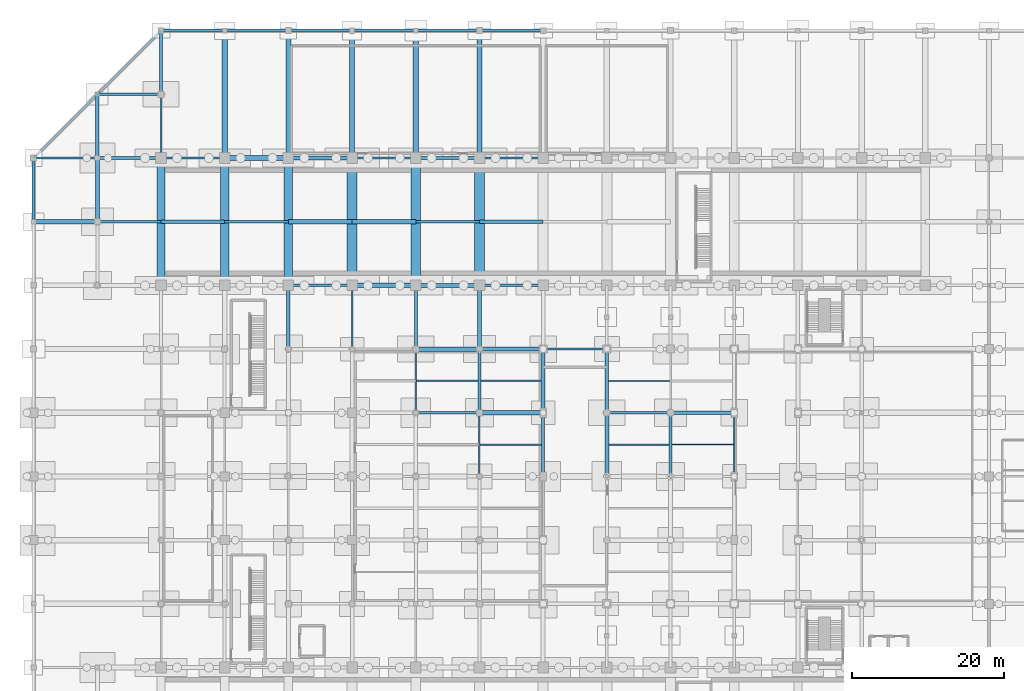
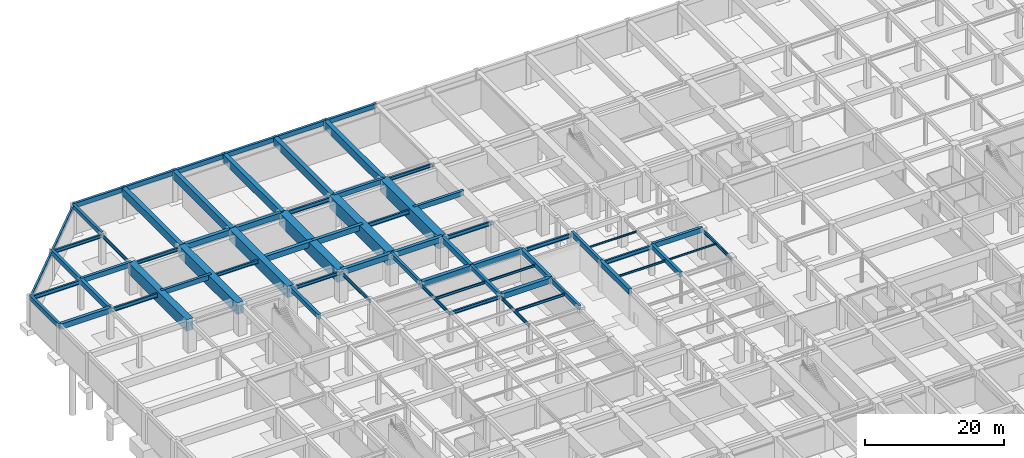
# One storey, part 13 of 26: 71 beams.
"""IFC4 building model written with IfcOpenShell, lengths in metres."""

from ifc_helpers import new_model, si_unit, direction, frame, origin, origin_2d, place, context, subcontext, project, spatial, rectangle, i_section, extrude, material, material_profile, profile_set, type_object, element, save


model = new_model("IFC4")

# Units and contexts
model_context = context("Model", 3, precision=1e-05, world=origin(), true_north=direction((0.0, 1.0)))
body_context = subcontext(model_context, "Body", "Model", "MODEL_VIEW")
ifc_project = project(units=[si_unit("LENGTHUNIT", "METRE"), si_unit("AREAUNIT", "SQUARE_METRE"), si_unit("VOLUMEUNIT", "CUBIC_METRE"), si_unit("PLANEANGLEUNIT", "RADIAN"), si_unit("MASSUNIT", "GRAM", prefix="KILO")], contexts=[model_context])

# Site, building, storey
site_placement = place(None, origin())
site = spatial("IfcSite", under=ifc_project, at=site_placement, CompositionType="ELEMENT")
building_placement = place(site_placement, origin())
building = spatial("IfcBuilding", under=site, at=building_placement, Name="Xuanlan Plaza Opera House", CompositionType="ELEMENT")
storey_placement = place(building_placement, frame((0.0, 0.0, -5.39990234375)))
storey = spatial("IfcBuildingStorey", under=building, at=storey_placement, Name="B01", CompositionType="ELEMENT", Elevation=-5.39990234375)

# Beams
ifc_material_1 = material(Name="Concrete C50", Category="concrete")
ifc_material_profile_1 = material_profile(ifc_material_1, rectangle(XDim=0.60009765625, YDim=0.949951171875, at=origin_2d()), Name="RC-BM 600x950")
ifc_profile_set_1 = profile_set([ifc_material_profile_1], Name="Concrete C50")
beam_type_1 = type_object("IfcBeamType", Name="STR-BM-B-01", PredefinedType="BEAM", material=ifc_profile_set_1)
beam_1_placement = place(storey_placement, frame((58.800048828125, 67.199951171875, 4.9248046875), z_axis=(1.0, 0.0, 0.0), x_axis=(0.0, 1.0, 0.0)))
element("IfcBeam", 1, at=beam_1_placement, inside=storey, type_object=beam_type_1, Name="Grid Beam X B01 8-9/I", PredefinedType="BEAM", context=body_context, shape_type="SweptSolid", body=[
    extrude(rectangle(XDim=0.60009765625, YDim=0.949951171875, at=origin_2d()), origin(), (0.0, 0.0, 1.0), 8.39990234375),
])
beam_2_placement = place(storey_placement, frame((50.39990234375, 75.60009765625, 4.9248046875), z_axis=(1.0, 0.0, 0.0), x_axis=(0.0, 1.0, 0.0)))
element("IfcBeam", 2, at=beam_2_placement, inside=storey, type_object=beam_type_1, Name="Grid Beam X B01 7-8/J", PredefinedType="BEAM", context=body_context, shape_type="SweptSolid", body=[
    extrude(rectangle(XDim=0.60009765625, YDim=0.949951171875, at=origin_2d()), origin(), (0.0, 0.0, 1.0), 8.400146484375),
])
for number, where, z_axis, x_axis, name in (
    (3, (42.0, 84.0, 4.9248046875), (1.0, 0.0, 0.0), (0.0, 1.0, 0.0), "Grid Beam X B01 6-7/K"),
    (4, (33.60009765625, 92.39990234375, 4.9248046875), (1.0, 0.0, 0.0), (0.0, 1.0, 0.0), "Grid Beam X B01 5-6/L"),
):
    element("IfcBeam", number, at=place(storey_placement, frame(where, z_axis=z_axis, x_axis=x_axis)), inside=storey, type_object=beam_type_1, Name=name, PredefinedType="BEAM", context=body_context, shape_type="SweptSolid", body=[
        extrude(rectangle(XDim=0.60009765625, YDim=0.949951171875, at=origin_2d()), origin(), (0.0, 0.0, 1.0), 8.39990234375),
    ])
beam_3_placement = place(storey_placement, frame((25.199951171875, 100.800048828125, 4.9248046875), z_axis=(1.0, 0.0, 0.0), x_axis=(0.0, 1.0, 0.0)))
element("IfcBeam", 5, at=beam_3_placement, inside=storey, type_object=beam_type_1, Name="Grid Beam X B01 4-5/M", PredefinedType="BEAM", context=body_context, shape_type="SweptSolid", body=[
    extrude(rectangle(XDim=0.60009765625, YDim=0.949951171875, at=origin_2d()), origin(), (0.0, 0.0, 1.0), 8.400146484375),
])
ifc_material_profile_2 = material_profile(ifc_material_1, rectangle(XDim=0.550048828125, YDim=0.949951171875, at=origin_2d()), Name="RC-BM 550x950")
ifc_profile_set_2 = profile_set([ifc_material_profile_2], Name="Concrete C50")
beam_type_2 = type_object("IfcBeamType", Name="STR-BM-B-02", PredefinedType="BEAM", material=ifc_profile_set_2)
beam_4_placement = place(storey_placement, frame((58.800048828125, 75.60009765625, 4.9248046875), z_axis=(1.0, 0.0, 0.0), x_axis=(0.0, 1.0, 0.0)))
element("IfcBeam", 6, at=beam_4_placement, inside=storey, type_object=beam_type_2, Name="Grid Beam X B01 8-9/J", PredefinedType="BEAM", context=body_context, shape_type="SweptSolid", body=[
    extrude(rectangle(XDim=0.550048828125, YDim=0.949951171875, at=origin_2d()), origin(), (0.0, 0.0, 1.0), 8.39990234375),
])
beam_5_placement = place(storey_placement, frame((50.39990234375, 84.0, 4.9248046875), z_axis=(1.0, 0.0, 0.0), x_axis=(0.0, 1.0, 0.0)))
element("IfcBeam", 7, at=beam_5_placement, inside=storey, type_object=beam_type_2, Name="Grid Beam X B01 7-8/K", PredefinedType="BEAM", context=body_context, shape_type="SweptSolid", body=[
    extrude(rectangle(XDim=0.550048828125, YDim=0.949951171875, at=origin_2d()), origin(), (0.0, 0.0, 1.0), 8.400146484375),
])
for number, where, z_axis, x_axis, name in (
    (8, (0.0, 92.39990234375, 4.9248046875), (1.0, 0.0, 0.0), (0.0, 1.0, 0.0), "Grid Beam X B01 1-2/L"),
    (9, (42.0, 92.39990234375, 4.9248046875), (1.0, 0.0, 0.0), (0.0, 1.0, 0.0), "Grid Beam X B01 6-7/L"),
    (10, (33.60009765625, 100.800048828125, 4.9248046875), (1.0, 0.0, 0.0), (0.0, 1.0, 0.0), "Grid Beam X B01 5-6/M"),
):
    element("IfcBeam", number, at=place(storey_placement, frame(where, z_axis=z_axis, x_axis=x_axis)), inside=storey, type_object=beam_type_2, Name=name, PredefinedType="BEAM", context=body_context, shape_type="SweptSolid", body=[
        extrude(rectangle(XDim=0.550048828125, YDim=0.949951171875, at=origin_2d()), origin(), (0.0, 0.0, 1.0), 8.39990234375),
    ])
beam_6_placement = place(storey_placement, frame((8.39990234375, 92.39990234375, 4.9248046875), z_axis=(0.0, 1.0, 0.0), x_axis=(-1.0, 0.0, 0.0)))
element("IfcBeam", 11, at=beam_6_placement, inside=storey, type_object=beam_type_2, Name="Grid Beam Y B01 2/L-M", PredefinedType="BEAM", context=body_context, shape_type="SweptSolid", body=[
    extrude(rectangle(XDim=0.550048828125, YDim=0.949951171875, at=origin_2d()), origin(), (0.0, 0.0, 1.0), 8.400146484375),
])
beam_7_placement = place(storey_placement, frame((58.800048828125, 75.60009765625, 4.9248046875), z_axis=(0.0, 1.0, 0.0), x_axis=(-1.0, 0.0, 0.0)))
element("IfcBeam", 12, at=beam_7_placement, inside=storey, type_object=beam_type_2, Name="Grid Beam Y B01 8/J-K", PredefinedType="BEAM", context=body_context, shape_type="SweptSolid", body=[
    extrude(rectangle(XDim=0.550048828125, YDim=0.949951171875, at=origin_2d()), origin(), (0.0, 0.0, 1.0), 8.39990234375),
])
beam_8_placement = place(storey_placement, frame((67.199951171875, 67.199951171875, 4.9248046875), z_axis=(0.0, 1.0, 0.0), x_axis=(-1.0, 0.0, 0.0)))
element("IfcBeam", 13, at=beam_8_placement, inside=storey, type_object=beam_type_2, Name="Grid Beam Y B01 9/I-J", PredefinedType="BEAM", context=body_context, shape_type="SweptSolid", body=[
    extrude(rectangle(XDim=0.550048828125, YDim=0.949951171875, at=origin_2d()), origin(), (0.0, 0.0, 1.0), 8.400146484375),
])
beam_9_placement = place(storey_placement, frame((75.60009765625, 58.800048828125, 4.9248046875), z_axis=(0.0, 1.0, 0.0), x_axis=(-1.0, 0.0, 0.0)))
element("IfcBeam", 14, at=beam_9_placement, inside=storey, type_object=beam_type_2, Name="Grid Beam Y B01 10/H-I", PredefinedType="BEAM", context=body_context, shape_type="SweptSolid", body=[
    extrude(rectangle(XDim=0.550048828125, YDim=0.949951171875, at=origin_2d()), origin(), (0.0, 0.0, 1.0), 8.39990234375),
])
ifc_material_2 = material(Name="Concrete C40", Category="concrete")
ifc_material_profile_3 = material_profile(ifc_material_2, rectangle(XDim=0.449951171875, YDim=0.85009765625, at=origin_2d()), Name="RC-BM 450x850")
ifc_profile_set_3 = profile_set([ifc_material_profile_3], Name="Concrete C40")
beam_type_3 = type_object("IfcBeamType", Name="STR-BM-B-04", PredefinedType="BEAM", material=ifc_profile_set_3)
for number, where, z_axis, x_axis, name in (
    (15, (84.0, 67.199951171875, 4.974853515625), (1.0, 0.0, 0.0), (0.0, 1.0, 0.0), "Grid Beam X B01 11-12/I"),
    (16, (16.800048828125, 92.39990234375, 4.974853515625), (1.0, 0.0, 0.0), (0.0, 1.0, 0.0), "Grid Beam X B01 3-4/L"),
    (17, (58.800048828125, 92.39990234375, 4.974853515625), (1.0, 0.0, 0.0), (0.0, 1.0, 0.0), "Grid Beam X B01 8-9/L"),
):
    element("IfcBeam", number, at=place(storey_placement, frame(where, z_axis=z_axis, x_axis=x_axis)), inside=storey, type_object=beam_type_3, Name=name, PredefinedType="BEAM", context=body_context, shape_type="SweptSolid", body=[
        extrude(rectangle(XDim=0.449951171875, YDim=0.85009765625, at=origin_2d()), origin(), (0.0, 0.0, 1.0), 8.39990234375),
    ])
for number, where, z_axis, x_axis, name in (
    (18, (8.39990234375, 100.800048828125, 4.974853515625), (1.0, 0.0, 0.0), (0.0, 1.0, 0.0), "Grid Beam X B01 2-3/M"),
    (19, (50.39990234375, 100.800048828125, 4.974853515625), (1.0, 0.0, 0.0), (0.0, 1.0, 0.0), "Grid Beam X B01 7-8/M"),
):
    element("IfcBeam", number, at=place(storey_placement, frame(where, z_axis=z_axis, x_axis=x_axis)), inside=storey, type_object=beam_type_3, Name=name, PredefinedType="BEAM", context=body_context, shape_type="SweptSolid", body=[
        extrude(rectangle(XDim=0.449951171875, YDim=0.85009765625, at=origin_2d()), origin(), (0.0, 0.0, 1.0), 8.400146484375),
    ])
for number, where, z_axis, x_axis, name in (
    (20, (8.39990234375, 100.800048828125, 4.974853515625), (0.0, 1.0, 0.0), (-1.0, 0.0, 0.0), "Grid Beam Y B01 2/M-N"),
    (21, (33.60009765625, 75.60009765625, 4.974853515625), (0.0, 1.0, 0.0), (-1.0, 0.0, 0.0), "Grid Beam Y B01 5/J-K"),
):
    element("IfcBeam", number, at=place(storey_placement, frame(where, z_axis=z_axis, x_axis=x_axis)), inside=storey, type_object=beam_type_3, Name=name, PredefinedType="BEAM", context=body_context, shape_type="SweptSolid", body=[
        extrude(rectangle(XDim=0.449951171875, YDim=0.85009765625, at=origin_2d()), origin(), (0.0, 0.0, 1.0), 8.39990234375),
    ])
beam_10_placement = place(storey_placement, frame((75.60009765625, 67.199951171875, 4.974853515625), z_axis=(0.0, 1.0, 0.0), x_axis=(-1.0, 0.0, 0.0)))
element("IfcBeam", 22, at=beam_10_placement, inside=storey, type_object=beam_type_3, Name="Grid Beam Y B01 10/I-J", PredefinedType="BEAM", context=body_context, shape_type="SweptSolid", body=[
    extrude(rectangle(XDim=0.449951171875, YDim=0.85009765625, at=origin_2d()), origin(), (0.0, 0.0, 1.0), 8.400146484375),
])
beam_11_placement = place(storey_placement, frame((84.0, 58.800048828125, 4.974853515625), z_axis=(0.0, 1.0, 0.0), x_axis=(-1.0, 0.0, 0.0)))
element("IfcBeam", 23, at=beam_11_placement, inside=storey, type_object=beam_type_3, Name="Grid Beam Y B01 11/H-I", PredefinedType="BEAM", context=body_context, shape_type="SweptSolid", body=[
    extrude(rectangle(XDim=0.449951171875, YDim=0.85009765625, at=origin_2d()), origin(), (0.0, 0.0, 1.0), 8.39990234375),
])
ifc_material_profile_4 = material_profile(ifc_material_2, rectangle(XDim=0.39990234375, YDim=0.75, at=origin_2d()), Name="RC-BM 400x750")
ifc_profile_set_4 = profile_set([ifc_material_profile_4], Name="Concrete C40")
beam_type_4 = type_object("IfcBeamType", Name="STR-BM-B-06", PredefinedType="BEAM", material=ifc_profile_set_4)
beam_12_placement = place(storey_placement, frame((16.800048828125, 109.199951171875, 5.02490234375), z_axis=(0.0, 1.0, 0.0), x_axis=(-1.0, 0.0, 0.0)))
element("IfcBeam", 24, at=beam_12_placement, inside=storey, type_object=beam_type_4, Name="Grid Beam Y B01 3/N-O", PredefinedType="BEAM", context=body_context, shape_type="SweptSolid", body=[
    extrude(rectangle(XDim=0.39990234375, YDim=0.75, at=origin_2d()), origin(), (0.0, 0.0, 1.0), 8.400146484375),
])
beam_13_placement = place(storey_placement, frame((50.39990234375, 75.60009765625, 5.02490234375), z_axis=(0.0, 1.0, 0.0), x_axis=(-1.0, 0.0, 0.0)))
element("IfcBeam", 25, at=beam_13_placement, inside=storey, type_object=beam_type_4, Name="Grid Beam Y B01 7/J-K", PredefinedType="BEAM", context=body_context, shape_type="SweptSolid", body=[
    extrude(rectangle(XDim=0.39990234375, YDim=0.75, at=origin_2d()), origin(), (0.0, 0.0, 1.0), 8.39990234375),
])
beam_14_placement = place(storey_placement, frame((58.800048828125, 67.199951171875, 5.02490234375), z_axis=(0.0, 1.0, 0.0), x_axis=(-1.0, 0.0, 0.0)))
element("IfcBeam", 26, at=beam_14_placement, inside=storey, type_object=beam_type_4, Name="Grid Beam Y B01 8/I-J", PredefinedType="BEAM", context=body_context, shape_type="SweptSolid", body=[
    extrude(rectangle(XDim=0.39990234375, YDim=0.75, at=origin_2d()), origin(), (0.0, 0.0, 1.0), 8.400146484375),
])
beam_15_placement = place(storey_placement, frame((67.199951171875, 58.800048828125, 5.02490234375), z_axis=(0.0, 1.0, 0.0), x_axis=(-1.0, 0.0, 0.0)))
element("IfcBeam", 27, at=beam_15_placement, inside=storey, type_object=beam_type_4, Name="Grid Beam Y B01 9/H-I", PredefinedType="BEAM", context=body_context, shape_type="SweptSolid", body=[
    extrude(rectangle(XDim=0.39990234375, YDim=0.75, at=origin_2d()), origin(), (0.0, 0.0, 1.0), 8.39990234375),
])
ifc_material_3 = material(Name="Steel Q355B", Category="steel")
ifc_material_profile_5 = material_profile(ifc_material_3, i_section(OverallWidth=0.199951171875, OverallDepth=0.449951171875, WebThickness=0.009033203125, FlangeThickness=0.013916015625, FilletRadius=0.01806640625, at=origin_2d()), Name="HN 450x200x9x14")
ifc_profile_set_5 = profile_set([ifc_material_profile_5], Name="Steel Q355B")
beam_type_5 = type_object("IfcBeamType", Name="STR-BM-J-01", PredefinedType="JOIST", material=ifc_profile_set_5)
for number, where, z_axis, x_axis, name in (
    (28, (58.89990234375, 63.0, 4.869873046875), (1.0, 0.0, 0.0), (0.0, 1.0, 0.0), "Heavy Floor Joist B01 8-9/Hm"),
    (29, (50.5, 71.39990234375, 4.869873046875), (1.0, 0.0, 0.0), (0.0, 1.0, 0.0), "Heavy Floor Joist B01 7-8/Im"),
):
    element("IfcBeam", number, at=place(storey_placement, frame(where, z_axis=z_axis, x_axis=x_axis)), inside=storey, type_object=beam_type_5, Name=name, PredefinedType="JOIST", context=body_context, shape_type="SweptSolid", body=[
        extrude(i_section(OverallWidth=0.199951171875, OverallDepth=0.449951171875, WebThickness=0.009033203125, FlangeThickness=0.013916015625, FilletRadius=0.01806640625, at=origin_2d()), origin(), (0.0, 0.0, 1.0), 8.10009765625),
    ])
ifc_material_profile_6 = material_profile(ifc_material_3, i_section(OverallWidth=0.199951171875, OverallDepth=0.39990234375, WebThickness=0.008056640625, FlangeThickness=0.012939453125, FilletRadius=0.01611328125, at=origin_2d()), Name="HN 400x200x8x13")
ifc_profile_set_6 = profile_set([ifc_material_profile_6], Name="Steel Q355B")
beam_type_6 = type_object("IfcBeamType", Name="STR-BM-J-02", PredefinedType="JOIST", material=ifc_profile_set_6)
beam_16_placement = place(storey_placement, frame((59.0, 71.39990234375, 4.89501953125), z_axis=(1.0, 0.0, 0.0), x_axis=(0.0, 1.0, 0.0)))
element("IfcBeam", 30, at=beam_16_placement, inside=storey, type_object=beam_type_6, Name="Heavy Floor Joist B01 8-9/Im", PredefinedType="JOIST", context=body_context, shape_type="SweptSolid", body=[
    extrude(i_section(OverallWidth=0.199951171875, OverallDepth=0.39990234375, WebThickness=0.008056640625, FlangeThickness=0.012939453125, FilletRadius=0.01611328125, at=origin_2d()), origin(), (0.0, 0.0, 1.0), 7.925048828125),
])
ifc_material_profile_7 = material_profile(ifc_material_3, i_section(OverallWidth=0.175048828125, OverallDepth=0.35009765625, WebThickness=0.007080078125, FlangeThickness=0.010986328125, FilletRadius=0.013916015625, at=origin_2d()), Name="HN 350x175x7x11")
ifc_profile_set_7 = profile_set([ifc_material_profile_7], Name="Steel Q355B")
beam_type_7 = type_object("IfcBeamType", Name="STR-BM-J-03", PredefinedType="JOIST", material=ifc_profile_set_7)
beam_17_placement = place(storey_placement, frame((75.875, 63.0, 4.919921875), z_axis=(1.0, 0.0, 0.0), x_axis=(0.0, 1.0, 0.0)))
element("IfcBeam", 31, at=beam_17_placement, inside=storey, type_object=beam_type_7, Name="Heavy Floor Joist B01 10-11/Hm", PredefinedType="JOIST", context=body_context, shape_type="SweptSolid", body=[
    extrude(i_section(OverallWidth=0.175048828125, OverallDepth=0.35009765625, WebThickness=0.007080078125, FlangeThickness=0.010986328125, FilletRadius=0.013916015625, at=origin_2d()), origin(), (0.0, 0.0, 1.0), 7.89990234375),
])
ifc_material_profile_8 = material_profile(ifc_material_3, i_section(OverallWidth=0.14990234375, OverallDepth=0.300048828125, WebThickness=0.006591796875, FlangeThickness=0.009033203125, FilletRadius=0.012939453125, at=origin_2d()), Name="HN 300x150x6.5x9")
ifc_profile_set_8 = profile_set([ifc_material_profile_8], Name="Steel Q355B")
beam_type_8 = type_object("IfcBeamType", Name="STR-BM-J-04", PredefinedType="JOIST", material=ifc_profile_set_8)
for number, where, z_axis, x_axis, name in (
    (32, (84.22509765625, 63.0, 4.94482421875), (1.0, 0.0, 0.0), (0.0, 1.0, 0.0), "Heavy Floor Joist B01 11-12/Hm"),
    (33, (75.824951171875, 71.39990234375, 4.94482421875), (1.0, 0.0, 0.0), (0.0, 1.0, 0.0), "Heavy Floor Joist B01 10-11/Im"),
):
    element("IfcBeam", number, at=place(storey_placement, frame(where, z_axis=z_axis, x_axis=x_axis)), inside=storey, type_object=beam_type_8, Name=name, PredefinedType="JOIST", context=body_context, shape_type="SweptSolid", body=[
        extrude(i_section(OverallWidth=0.14990234375, OverallDepth=0.300048828125, WebThickness=0.006591796875, FlangeThickness=0.009033203125, FilletRadius=0.012939453125, at=origin_2d()), origin(), (0.0, 0.0, 1.0), 8.074951171875),
    ])
ifc_material_profile_9 = material_profile(ifc_material_1, rectangle(XDim=0.699951171875, YDim=1.39990234375, at=origin_2d()), Name="RC-LG 700x1400")
ifc_profile_set_9 = profile_set([ifc_material_profile_9], Name="Concrete C50")
beam_type_9 = type_object("IfcBeamType", Name="STR-BM-LG-01", PredefinedType="BEAM", material=ifc_profile_set_9)
for number, where, z_axis, x_axis, name in (
    (34, (25.199951171875, 100.800048828125, 4.699951171875), (0.0, 1.0, 0.0), (-1.0, 0.0, 0.0), "Grid Beam Y B01 4/M-O"),
    (35, (33.60009765625, 100.800048828125, 4.699951171875), (0.0, 1.0, 0.0), (-1.0, 0.0, 0.0), "Grid Beam Y B01 5/M-O"),
    (36, (42.0, 100.800048828125, 4.699951171875), (0.0, 1.0, 0.0), (-1.0, 0.0, 0.0), "Grid Beam Y B01 6/M-O"),
    (37, (50.39990234375, 100.800048828125, 4.699951171875), (0.0, 1.0, 0.0), (-1.0, 0.0, 0.0), "Grid Beam Y B01 7/M-O"),
    (38, (58.800048828125, 100.800048828125, 4.699951171875), (0.0, 1.0, 0.0), (-1.0, 0.0, 0.0), "Grid Beam Y B01 8/M-O"),
):
    element("IfcBeam", number, at=place(storey_placement, frame(where, z_axis=z_axis, x_axis=x_axis)), inside=storey, type_object=beam_type_9, Name=name, PredefinedType="BEAM", context=body_context, shape_type="SweptSolid", body=[
        extrude(rectangle(XDim=0.699951171875, YDim=1.39990234375, at=origin_2d()), origin(), (0.0, 0.0, 1.0), 16.800048828125),
    ])
ifc_material_profile_10 = material_profile(ifc_material_3, i_section(OverallWidth=0.300048828125, OverallDepth=0.699951171875, WebThickness=0.012939453125, FlangeThickness=0.02392578125, FilletRadius=0.02392578125, at=origin_2d()), Name="HN 700x300x13x24")
ifc_profile_set_10 = profile_set([ifc_material_profile_10], Name="Steel Q355B")
beam_type_10 = type_object("IfcBeamType", Name="STR-BM-SB-03", PredefinedType="BEAM", material=ifc_profile_set_10)
beam_18_placement = place(storey_placement, frame((75.60009765625, 67.199951171875, 4.744873046875), z_axis=(1.0, 0.0, 0.0), x_axis=(0.0, 1.0, 0.0)))
element("IfcBeam", 39, at=beam_18_placement, inside=storey, type_object=beam_type_10, Name="Grid Beam X B01 10-11/I", PredefinedType="BEAM", context=body_context, shape_type="SweptSolid", body=[
    extrude(i_section(OverallWidth=0.300048828125, OverallDepth=0.699951171875, WebThickness=0.012939453125, FlangeThickness=0.02392578125, FilletRadius=0.02392578125, at=origin_2d()), origin(), (0.0, 0.0, 1.0), 8.39990234375),
])
beam_19_placement = place(storey_placement, frame((67.199951171875, 75.60009765625, 4.744873046875), z_axis=(1.0, 0.0, 0.0), x_axis=(0.0, 1.0, 0.0)))
element("IfcBeam", 40, at=beam_19_placement, inside=storey, type_object=beam_type_10, Name="Grid Beam X B01 9-10/J", PredefinedType="BEAM", context=body_context, shape_type="SweptSolid", body=[
    extrude(i_section(OverallWidth=0.300048828125, OverallDepth=0.699951171875, WebThickness=0.012939453125, FlangeThickness=0.02392578125, FilletRadius=0.02392578125, at=origin_2d()), origin(), (0.0, 0.0, 1.0), 8.400146484375),
])
beam_20_placement = place(storey_placement, frame((58.800048828125, 84.0, 4.744873046875), z_axis=(1.0, 0.0, 0.0), x_axis=(0.0, 1.0, 0.0)))
element("IfcBeam", 41, at=beam_20_placement, inside=storey, type_object=beam_type_10, Name="Grid Beam X B01 8-9/K", PredefinedType="BEAM", context=body_context, shape_type="SweptSolid", body=[
    extrude(i_section(OverallWidth=0.300048828125, OverallDepth=0.699951171875, WebThickness=0.012939453125, FlangeThickness=0.02392578125, FilletRadius=0.02392578125, at=origin_2d()), origin(), (0.0, 0.0, 1.0), 8.39990234375),
])
for number, where, z_axis, x_axis, name in (
    (42, (8.39990234375, 92.39990234375, 4.744873046875), (1.0, 0.0, 0.0), (0.0, 1.0, 0.0), "Grid Beam X B01 2-3/L"),
    (43, (50.39990234375, 92.39990234375, 4.744873046875), (1.0, 0.0, 0.0), (0.0, 1.0, 0.0), "Grid Beam X B01 7-8/L"),
):
    element("IfcBeam", number, at=place(storey_placement, frame(where, z_axis=z_axis, x_axis=x_axis)), inside=storey, type_object=beam_type_10, Name=name, PredefinedType="BEAM", context=body_context, shape_type="SweptSolid", body=[
        extrude(i_section(OverallWidth=0.300048828125, OverallDepth=0.699951171875, WebThickness=0.012939453125, FlangeThickness=0.02392578125, FilletRadius=0.02392578125, at=origin_2d()), origin(), (0.0, 0.0, 1.0), 8.400146484375),
    ])
for number, where, z_axis, x_axis, name in (
    (44, (0.0, 100.800048828125, 4.744873046875), (1.0, 0.0, 0.0), (0.0, 1.0, 0.0), "Grid Beam X B01 1-2/M"),
    (45, (42.0, 100.800048828125, 4.744873046875), (1.0, 0.0, 0.0), (0.0, 1.0, 0.0), "Grid Beam X B01 6-7/M"),
):
    element("IfcBeam", number, at=place(storey_placement, frame(where, z_axis=z_axis, x_axis=x_axis)), inside=storey, type_object=beam_type_10, Name=name, PredefinedType="BEAM", context=body_context, shape_type="SweptSolid", body=[
        extrude(i_section(OverallWidth=0.300048828125, OverallDepth=0.699951171875, WebThickness=0.012939453125, FlangeThickness=0.02392578125, FilletRadius=0.02392578125, at=origin_2d()), origin(), (0.0, 0.0, 1.0), 8.39990234375),
    ])
ifc_material_profile_11 = material_profile(ifc_material_3, i_section(OverallWidth=0.199951171875, OverallDepth=0.60009765625, WebThickness=0.010986328125, FlangeThickness=0.01708984375, FilletRadius=0.02197265625, at=origin_2d()), Name="HN 600x200x11x17")
ifc_profile_set_11 = profile_set([ifc_material_profile_11], Name="Steel Q355B")
beam_type_11 = type_object("IfcBeamType", Name="STR-BM-SB-04", PredefinedType="BEAM", material=ifc_profile_set_11)
for number, where, z_axis, x_axis, name in (
    (46, (16.800048828125, 100.800048828125, 4.794921875), (0.0, 1.0, 0.0), (-1.0, 0.0, 0.0), "Grid Beam Y B01 3/M-N"),
    (47, (42.0, 75.60009765625, 4.794921875), (0.0, 1.0, 0.0), (-1.0, 0.0, 0.0), "Grid Beam Y B01 6/J-K"),
):
    element("IfcBeam", number, at=place(storey_placement, frame(where, z_axis=z_axis, x_axis=x_axis)), inside=storey, type_object=beam_type_11, Name=name, PredefinedType="BEAM", context=body_context, shape_type="SweptSolid", body=[
        extrude(i_section(OverallWidth=0.199951171875, OverallDepth=0.60009765625, WebThickness=0.010986328125, FlangeThickness=0.01708984375, FilletRadius=0.02197265625, at=origin_2d()), origin(), (0.0, 0.0, 1.0), 8.39990234375),
    ])
beam_21_placement = place(storey_placement, frame((50.39990234375, 67.199951171875, 4.794921875), z_axis=(0.0, 1.0, 0.0), x_axis=(-1.0, 0.0, 0.0)))
element("IfcBeam", 48, at=beam_21_placement, inside=storey, type_object=beam_type_11, Name="Grid Beam Y B01 7/I-J", PredefinedType="BEAM", context=body_context, shape_type="SweptSolid", body=[
    extrude(i_section(OverallWidth=0.199951171875, OverallDepth=0.60009765625, WebThickness=0.010986328125, FlangeThickness=0.01708984375, FilletRadius=0.02197265625, at=origin_2d()), origin(), (0.0, 0.0, 1.0), 8.400146484375),
])
for number, where, z_axis, x_axis, name in (
    (49, (58.800048828125, 58.800048828125, 4.794921875), (0.0, 1.0, 0.0), (-1.0, 0.0, 0.0), "Grid Beam Y B01 8/H-I"),
    (50, (92.39990234375, 58.800048828125, 4.794921875), (0.0, 1.0, 0.0), (-1.0, 0.0, 0.0), "Grid Beam Y B01 12/H-I"),
):
    element("IfcBeam", number, at=place(storey_placement, frame(where, z_axis=z_axis, x_axis=x_axis)), inside=storey, type_object=beam_type_11, Name=name, PredefinedType="BEAM", context=body_context, shape_type="SweptSolid", body=[
        extrude(i_section(OverallWidth=0.199951171875, OverallDepth=0.60009765625, WebThickness=0.010986328125, FlangeThickness=0.01708984375, FilletRadius=0.02197265625, at=origin_2d()), origin(), (0.0, 0.0, 1.0), 8.39990234375),
    ])
ifc_material_profile_12 = material_profile(ifc_material_3, i_section(OverallWidth=0.300048828125, OverallDepth=0.587890625, WebThickness=0.011962890625, FlangeThickness=0.02001953125, FilletRadius=0.02392578125, at=origin_2d()), Name="HM 588x300x12x20")
ifc_profile_set_12 = profile_set([ifc_material_profile_12], Name="Steel Q355B")
beam_type_12 = type_object("IfcBeamType", Name="STR-BM-SB-06", PredefinedType="BEAM", material=ifc_profile_set_12)
beam_22_placement = place(storey_placement, frame((50.39990234375, 67.199951171875, 4.80078125), z_axis=(1.0, 0.0, 0.0), x_axis=(0.0, 1.0, 0.0)))
element("IfcBeam", 51, at=beam_22_placement, inside=storey, type_object=beam_type_12, Name="Grid Beam X B01 7-8/I", PredefinedType="BEAM", context=body_context, shape_type="SweptSolid", body=[
    extrude(i_section(OverallWidth=0.300048828125, OverallDepth=0.587890625, WebThickness=0.011962890625, FlangeThickness=0.02001953125, FilletRadius=0.02392578125, at=origin_2d()), origin(), (0.0, 0.0, 1.0), 8.400146484375),
])
beam_23_placement = place(storey_placement, frame((33.60009765625, 84.0, 4.80078125), z_axis=(1.0, 0.0, 0.0), x_axis=(0.0, 1.0, 0.0)))
element("IfcBeam", 52, at=beam_23_placement, inside=storey, type_object=beam_type_12, Name="Grid Beam X B01 5-6/K", PredefinedType="BEAM", context=body_context, shape_type="SweptSolid", body=[
    extrude(i_section(OverallWidth=0.300048828125, OverallDepth=0.587890625, WebThickness=0.011962890625, FlangeThickness=0.02001953125, FilletRadius=0.02392578125, at=origin_2d()), origin(), (0.0, 0.0, 1.0), 8.39990234375),
])
beam_24_placement = place(storey_placement, frame((25.199951171875, 92.39990234375, 4.80078125), z_axis=(1.0, 0.0, 0.0), x_axis=(0.0, 1.0, 0.0)))
element("IfcBeam", 53, at=beam_24_placement, inside=storey, type_object=beam_type_12, Name="Grid Beam X B01 4-5/L", PredefinedType="BEAM", context=body_context, shape_type="SweptSolid", body=[
    extrude(i_section(OverallWidth=0.300048828125, OverallDepth=0.587890625, WebThickness=0.011962890625, FlangeThickness=0.02001953125, FilletRadius=0.02392578125, at=origin_2d()), origin(), (0.0, 0.0, 1.0), 8.400146484375),
])
for number, where, z_axis, x_axis, name in (
    (54, (16.800048828125, 100.800048828125, 4.80078125), (1.0, 0.0, 0.0), (0.0, 1.0, 0.0), "Grid Beam X B01 3-4/M"),
    (55, (58.800048828125, 100.800048828125, 4.80078125), (1.0, 0.0, 0.0), (0.0, 1.0, 0.0), "Grid Beam X B01 8-9/M"),
):
    element("IfcBeam", number, at=place(storey_placement, frame(where, z_axis=z_axis, x_axis=x_axis)), inside=storey, type_object=beam_type_12, Name=name, PredefinedType="BEAM", context=body_context, shape_type="SweptSolid", body=[
        extrude(i_section(OverallWidth=0.300048828125, OverallDepth=0.587890625, WebThickness=0.011962890625, FlangeThickness=0.02001953125, FilletRadius=0.02392578125, at=origin_2d()), origin(), (0.0, 0.0, 1.0), 8.39990234375),
    ])
beam_25_placement = place(storey_placement, frame((8.39990234375, 109.199951171875, 4.80078125), z_axis=(1.0, 0.0, 0.0), x_axis=(0.0, 1.0, 0.0)))
element("IfcBeam", 56, at=beam_25_placement, inside=storey, type_object=beam_type_12, Name="Grid Beam X B01 2-3/N", PredefinedType="BEAM", context=body_context, shape_type="SweptSolid", body=[
    extrude(i_section(OverallWidth=0.300048828125, OverallDepth=0.587890625, WebThickness=0.011962890625, FlangeThickness=0.02001953125, FilletRadius=0.02392578125, at=origin_2d()), origin(), (0.0, 0.0, 1.0), 8.400146484375),
])
ifc_material_profile_13 = material_profile(ifc_material_2, rectangle(XDim=0.39990234375, YDim=0.800048828125, at=origin_2d()), Name="RC-SPD 400x800")
ifc_profile_set_13 = profile_set([ifc_material_profile_13], Name="Concrete C40")
beam_type_13 = type_object("IfcBeamType", Name="STR-BM-SP-01", PredefinedType="SPANDREL", material=ifc_profile_set_13)
beam_26_placement = place(storey_placement, frame((16.800048828125, 117.60009765625, 5.0), z_axis=(1.0, 0.0, 0.0), x_axis=(0.0, 1.0, 0.0)))
element("IfcBeam", 57, at=beam_26_placement, inside=storey, type_object=beam_type_13, Name="Grid Beam X B01 3-4/O", PredefinedType="SPANDREL", context=body_context, shape_type="SweptSolid", body=[
    extrude(rectangle(XDim=0.39990234375, YDim=0.800048828125, at=origin_2d()), origin(), (0.0, 0.0, 1.0), 8.39990234375),
])
beam_27_placement = place(storey_placement, frame((25.199951171875, 117.60009765625, 5.0), z_axis=(1.0, 0.0, 0.0), x_axis=(0.0, 1.0, 0.0)))
element("IfcBeam", 58, at=beam_27_placement, inside=storey, type_object=beam_type_13, Name="Grid Beam X B01 4-5/O", PredefinedType="SPANDREL", context=body_context, shape_type="SweptSolid", body=[
    extrude(rectangle(XDim=0.39990234375, YDim=0.800048828125, at=origin_2d()), origin(), (0.0, 0.0, 1.0), 8.400146484375),
])
for number, where, z_axis, x_axis, name in (
    (59, (33.60009765625, 117.60009765625, 5.0), (1.0, 0.0, 0.0), (0.0, 1.0, 0.0), "Grid Beam X B01 5-6/O"),
    (60, (42.0, 117.60009765625, 5.0), (1.0, 0.0, 0.0), (0.0, 1.0, 0.0), "Grid Beam X B01 6-7/O"),
):
    element("IfcBeam", number, at=place(storey_placement, frame(where, z_axis=z_axis, x_axis=x_axis)), inside=storey, type_object=beam_type_13, Name=name, PredefinedType="SPANDREL", context=body_context, shape_type="SweptSolid", body=[
        extrude(rectangle(XDim=0.39990234375, YDim=0.800048828125, at=origin_2d()), origin(), (0.0, 0.0, 1.0), 8.39990234375),
    ])
beam_28_placement = place(storey_placement, frame((50.39990234375, 117.60009765625, 5.0), z_axis=(1.0, 0.0, 0.0), x_axis=(0.0, 1.0, 0.0)))
element("IfcBeam", 61, at=beam_28_placement, inside=storey, type_object=beam_type_13, Name="Grid Beam X B01 7-8/O", PredefinedType="SPANDREL", context=body_context, shape_type="SweptSolid", body=[
    extrude(rectangle(XDim=0.39990234375, YDim=0.800048828125, at=origin_2d()), origin(), (0.0, 0.0, 1.0), 8.400146484375),
])
beam_29_placement = place(storey_placement, frame((58.800048828125, 117.60009765625, 5.0), z_axis=(1.0, 0.0, 0.0), x_axis=(0.0, 1.0, 0.0)))
element("IfcBeam", 62, at=beam_29_placement, inside=storey, type_object=beam_type_13, Name="Grid Beam X B01 8-9/O", PredefinedType="SPANDREL", context=body_context, shape_type="SweptSolid", body=[
    extrude(rectangle(XDim=0.39990234375, YDim=0.800048828125, at=origin_2d()), origin(), (0.0, 0.0, 1.0), 8.39990234375),
])
beam_30_placement = place(storey_placement, frame((0.0, 92.39990234375, 5.0), z_axis=(0.0, 1.0, 0.0), x_axis=(-1.0, 0.0, 0.0)))
element("IfcBeam", 63, at=beam_30_placement, inside=storey, type_object=beam_type_13, Name="Grid Beam Y B01 1/L-M", PredefinedType="SPANDREL", context=body_context, shape_type="SweptSolid", body=[
    extrude(rectangle(XDim=0.39990234375, YDim=0.800048828125, at=origin_2d()), origin(), (0.0, 0.0, 1.0), 8.400146484375),
])
ifc_material_profile_14 = material_profile(ifc_material_3, i_section(OverallWidth=0.300048828125, OverallDepth=0.587890625, WebThickness=0.011962890625, FlangeThickness=0.02001953125, FilletRadius=0.02392578125, at=origin_2d()), Name="HM 588x300x12x20")
ifc_profile_set_14 = profile_set([ifc_material_profile_14], Name="Steel Q355B")
beam_type_14 = type_object("IfcBeamType", Name="STR-BM-SP-03", PredefinedType="SPANDREL", material=ifc_profile_set_14)
beam_31_placement = place(storey_placement, frame((0.0, 100.800048828125, 4.80078125), z_axis=(0.707106781187, 0.707106781187, 0.0), x_axis=(-0.707106781187, 0.707106781187, 0.0)))
element("IfcBeam", 64, at=beam_31_placement, inside=storey, type_object=beam_type_14, Name="Faceted Edge Spandrel B01 CH07A", PredefinedType="SPANDREL", context=body_context, shape_type="SweptSolid", body=[
    extrude(i_section(OverallWidth=0.300048828125, OverallDepth=0.587890625, WebThickness=0.011962890625, FlangeThickness=0.02001953125, FilletRadius=0.02392578125, at=origin_2d()), origin(), (0.0, 0.0, 1.0), 11.879150390625),
])
beam_32_placement = place(storey_placement, frame((8.39990234375, 109.199951171875, 4.80078125), z_axis=(0.707106781187, 0.707106781187, 0.0), x_axis=(-0.707106781187, 0.707106781187, 0.0)))
element("IfcBeam", 65, at=beam_32_placement, inside=storey, type_object=beam_type_14, Name="Faceted Edge Spandrel B01 CH07B", PredefinedType="SPANDREL", context=body_context, shape_type="SweptSolid", body=[
    extrude(i_section(OverallWidth=0.300048828125, OverallDepth=0.587890625, WebThickness=0.011962890625, FlangeThickness=0.02001953125, FilletRadius=0.02392578125, at=origin_2d()), origin(), (0.0, 0.0, 1.0), 11.879638671875),
])
ifc_material_4 = material(Name="Concrete C60", Category="concrete")
ifc_material_profile_15 = material_profile(ifc_material_4, rectangle(XDim=1.300048828125, YDim=2.199951171875, at=origin_2d()), Name="RC-TG 1300x2200")
ifc_profile_set_15 = profile_set([ifc_material_profile_15], Name="Concrete C60")
beam_type_15 = type_object("IfcBeamType", Name="STR-BM-TG-01", PredefinedType="BEAM", material=ifc_profile_set_15)
for number, where, z_axis, x_axis, name in (
    (66, (42.0, 84.0, 4.2998046875), (0.0, 1.0, 0.0), (-1.0, 0.0, 0.0), "Metro Transfer Girder TG-N05"),
    (67, (50.39990234375, 84.0, 4.2998046875), (0.0, 1.0, 0.0), (-1.0, 0.0, 0.0), "Metro Transfer Girder TG-N06"),
    (68, (58.800048828125, 84.0, 4.2998046875), (0.0, 1.0, 0.0), (-1.0, 0.0, 0.0), "Metro Transfer Girder TG-N07"),
):
    element("IfcBeam", number, at=place(storey_placement, frame(where, z_axis=z_axis, x_axis=x_axis)), inside=storey, type_object=beam_type_15, Name=name, PredefinedType="BEAM", context=body_context, shape_type="SweptSolid", body=[
        extrude(rectangle(XDim=1.300048828125, YDim=2.199951171875, at=origin_2d()), origin(), (0.0, 0.0, 1.0), 16.800048828125),
    ])
ifc_material_profile_16 = material_profile(ifc_material_1, rectangle(XDim=1.10009765625, YDim=2.0, at=origin_2d()), Name="RC-TG 1100x2000")
ifc_profile_set_16 = profile_set([ifc_material_profile_16], Name="Concrete C50")
beam_type_16 = type_object("IfcBeamType", Name="STR-BM-TG-02", PredefinedType="BEAM", material=ifc_profile_set_16)
for number, where, z_axis, x_axis, name in (
    (69, (16.800048828125, 84.0, 4.39990234375), (0.0, 1.0, 0.0), (-1.0, 0.0, 0.0), "Metro Transfer Girder TG-N02"),
    (70, (25.199951171875, 84.0, 4.39990234375), (0.0, 1.0, 0.0), (-1.0, 0.0, 0.0), "Metro Transfer Girder TG-N03"),
    (71, (33.60009765625, 84.0, 4.39990234375), (0.0, 1.0, 0.0), (-1.0, 0.0, 0.0), "Metro Transfer Girder TG-N04"),
):
    element("IfcBeam", number, at=place(storey_placement, frame(where, z_axis=z_axis, x_axis=x_axis)), inside=storey, type_object=beam_type_16, Name=name, PredefinedType="BEAM", context=body_context, shape_type="SweptSolid", body=[
        extrude(rectangle(XDim=1.10009765625, YDim=2.0, at=origin_2d()), origin(), (0.0, 0.0, 1.0), 16.800048828125),
    ])

save(model, "model.ifc")
